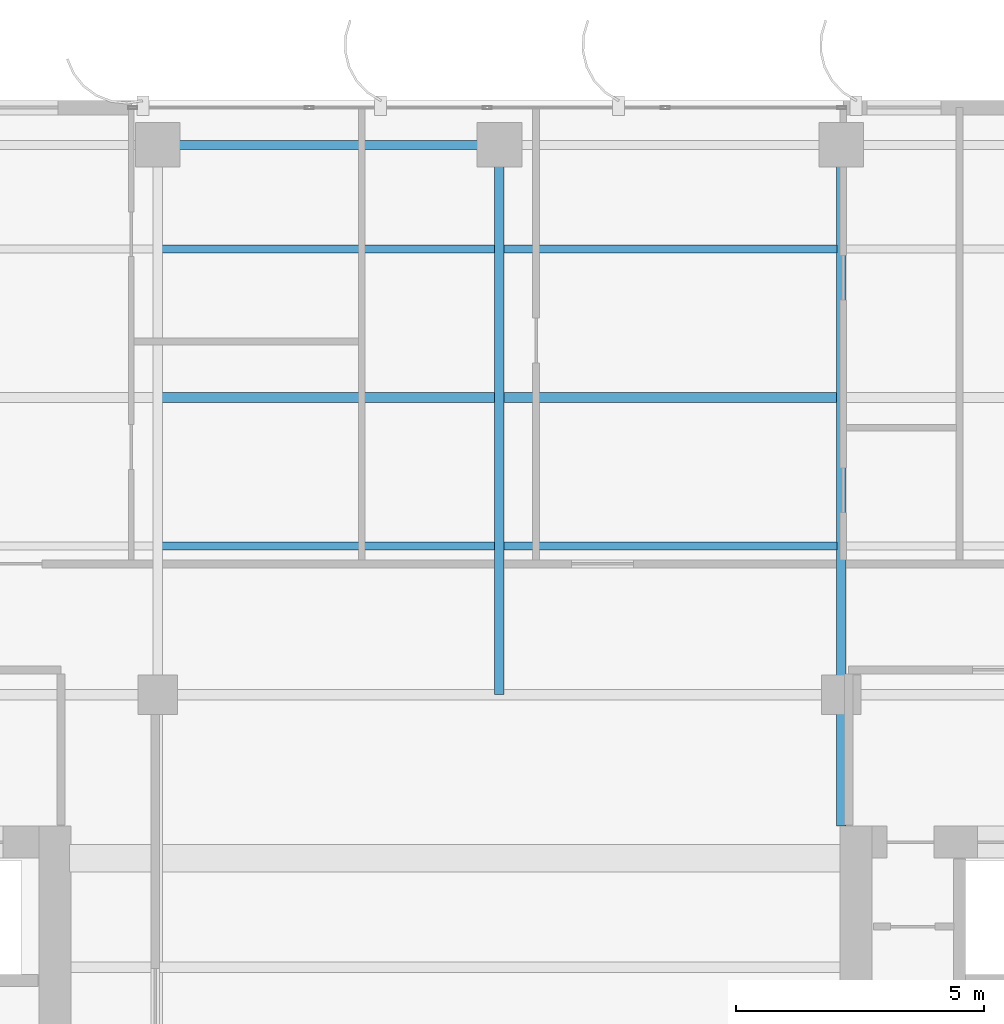
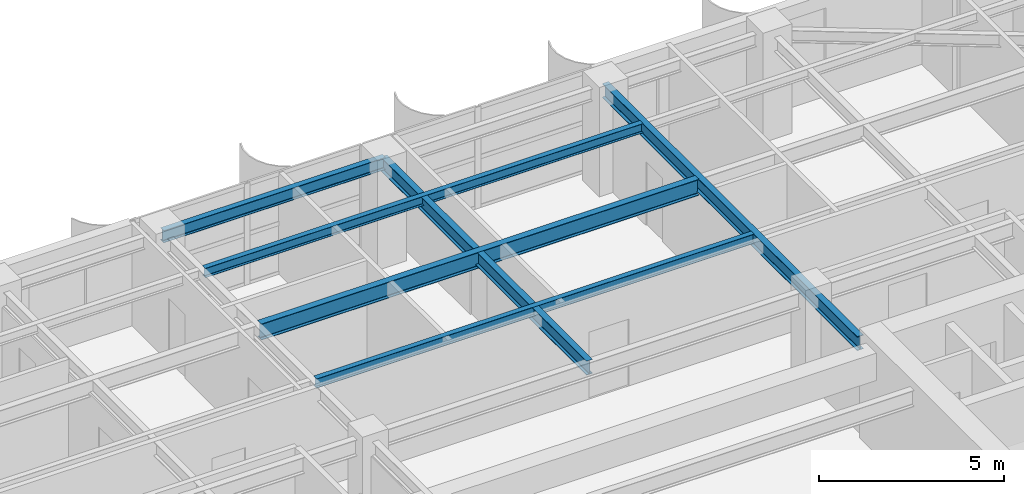
# One storey, part 15 of 25: 6 beams.
"""IFC4 building model written with IfcOpenShell, lengths in metres."""

from ifc_helpers import new_model, si_unit, direction, frame, origin, origin_2d, place, context, subcontext, project, spatial, i_section, extrude, source, transform, mapped, material, material_profile, profile_set, type_object, element, save


model = new_model("IFC4")

# Units and contexts
model_context = context("Model", 3, precision=1e-05, world=origin(), true_north=direction((0.0, 1.0)))
body_context = subcontext(model_context, "Body", "Model", "MODEL_VIEW")
ifc_project = project(units=[si_unit("LENGTHUNIT", "METRE"), si_unit("AREAUNIT", "SQUARE_METRE"), si_unit("VOLUMEUNIT", "CUBIC_METRE"), si_unit("PLANEANGLEUNIT", "RADIAN"), si_unit("MASSUNIT", "GRAM", prefix="KILO")], contexts=[model_context])

# Site, building, storey
site_placement = place(None, origin())
site = spatial("IfcSite", under=ifc_project, at=site_placement, CompositionType="ELEMENT")
building_placement = place(site_placement, origin())
building = spatial("IfcBuilding", under=site, at=building_placement, Name="Khoralis Quay Care Tower", CompositionType="ELEMENT")
storey_placement = place(building_placement, frame((0.0, 0.0, 166.5)))
storey = spatial("IfcBuildingStorey", under=building, at=storey_placement, Name="L43", CompositionType="ELEMENT", Elevation=166.5)

# Beams
ifc_material = material(Name="Steel S355", Category="steel")
ifc_material_profile_1 = material_profile(ifc_material, i_section(OverallWidth=0.179931640625, OverallDepth=0.39990234375, WebThickness=0.008544921875, FlangeThickness=0.013427734375, FilletRadius=0.02099609375, at=origin_2d()), Name="Steel S355")
ifc_profile_set_1 = profile_set([ifc_material_profile_1], Name="Steel S355")
beam_type_1 = type_object("IfcBeamType", Name="BM-IPE400", PredefinedType="SPANDREL", material=ifc_profile_set_1)
shared_shape_1 = source(origin(), body_context, "Body", "SweptSolid", [
    extrude(i_section(OverallWidth=0.179931640625, OverallDepth=0.39990234375, WebThickness=0.008544921875, FlangeThickness=0.013427734375, FilletRadius=0.02099609375, at=origin_2d()), origin(), (0.0, 0.0, 1.0), 6.89990234375),
])
beam_1_placement = place(storey_placement, frame((17.10009765625, 41.10009765625, 3.139892578125), z_axis=(1.0, 0.0, 0.0), x_axis=(0.0, 1.0, 0.0)))
element("IfcBeam", 1, at=beam_1_placement, inside=storey, type_object=beam_type_1, Name="BM-TSP-L43-06", PredefinedType="SPANDREL", context=body_context, shape_type="MappedRepresentation", body=[
    mapped(shared_shape_1, transform((0.0, 0.0, 0.0), scale=1.0)),
])
ifc_material_profile_2 = material_profile(ifc_material, i_section(OverallWidth=0.208984375, OverallDepth=0.532958984375, WebThickness=0.01025390625, FlangeThickness=0.015625, FilletRadius=0.01611328125, at=origin_2d()), Name="Steel S355")
ifc_profile_set_2 = profile_set([ifc_material_profile_2], Name="Steel S355")
beam_type_2 = type_object("IfcBeamType", Name="BM-W530X92", PredefinedType="BEAM", material=ifc_profile_set_2)
shared_shape_2 = source(origin(), body_context, "Body", "SweptSolid", [
    extrude(i_section(OverallWidth=0.208984375, OverallDepth=0.532958984375, WebThickness=0.01025390625, FlangeThickness=0.015625, FilletRadius=0.01611328125, at=origin_2d()), origin(), (0.0, 0.0, 1.0), 13.6318359375),
])
beam_2_placement = place(storey_placement, frame((17.18408203125, 36.0, 3.073486328125), z_axis=(1.0, 0.0, 0.0), x_axis=(0.0, 1.0, 0.0)))
element("IfcBeam", 2, at=beam_2_placement, inside=storey, type_object=beam_type_2, Name="BM-TGCC-L43-360", PredefinedType="BEAM", context=body_context, shape_type="MappedRepresentation", body=[
    mapped(shared_shape_2, transform((0.0, 0.0, 0.0), scale=1.0)),
])
ifc_material_profile_3 = material_profile(ifc_material, i_section(OverallWidth=0.19189453125, OverallDepth=0.462890625, WebThickness=0.010498046875, FlangeThickness=0.017578125, FilletRadius=0.014892578125, at=origin_2d()), Name="Steel S355")
ifc_profile_set_3 = profile_set([ifc_material_profile_3], Name="Steel S355")
beam_type_3 = type_object("IfcBeamType", Name="BM-W460X89", PredefinedType="BEAM", material=ifc_profile_set_3)
shared_shape_3 = source(origin(), body_context, "Body", "SweptSolid", [
    extrude(i_section(OverallWidth=0.19189453125, OverallDepth=0.462890625, WebThickness=0.010498046875, FlangeThickness=0.017578125, FilletRadius=0.014892578125, at=origin_2d()), origin(), (0.0, 0.0, 1.0), 11.10009765625),
])
beam_3_placement = place(storey_placement, frame((24.0, 30.0, 3.1083984375), z_axis=(0.0, 1.0, 0.0), x_axis=(-1.0, 0.0, 0.0)))
element("IfcBeam", 3, at=beam_3_placement, inside=storey, type_object=beam_type_3, Name="BM-TGYN-L43-240", PredefinedType="BEAM", context=body_context, shape_type="MappedRepresentation", body=[
    mapped(shared_shape_3, transform((0.0, 0.0, 0.0), scale=1.0)),
])
shared_shape_4 = source(origin(), body_context, "Body", "SweptSolid", [
    extrude(i_section(OverallWidth=0.19189453125, OverallDepth=0.462890625, WebThickness=0.010498046875, FlangeThickness=0.017578125, FilletRadius=0.014892578125, at=origin_2d()), origin(), (0.0, 0.0, 1.0), 13.752197265625),
])
beam_4_placement = place(storey_placement, frame((30.89990234375, 27.347900390625, 3.1083984375), z_axis=(0.0, 1.0, 0.0), x_axis=(-1.0, 0.0, 0.0)))
element("IfcBeam", 4, at=beam_4_placement, inside=storey, type_object=beam_type_3, Name="BM-TGYN-L43-309", PredefinedType="BEAM", context=body_context, shape_type="MappedRepresentation", body=[
    mapped(shared_shape_4, transform((0.0, 0.0, 0.0), scale=1.0)),
])
ifc_material_profile_4 = material_profile(ifc_material, i_section(OverallWidth=0.1650390625, OverallDepth=0.31005859375, WebThickness=0.005859375, FlangeThickness=0.009765625, FilletRadius=0.011962890625, at=origin_2d()), Name="Steel S355")
ifc_profile_set_4 = profile_set([ifc_material_profile_4], Name="Steel S355")
beam_type_4 = type_object("IfcBeamType", Name="BM-W310X39", PredefinedType="JOIST", material=ifc_profile_set_4)
shared_shape_5 = source(origin(), body_context, "Body", "SweptSolid", [
    extrude(i_section(OverallWidth=0.1650390625, OverallDepth=0.31005859375, WebThickness=0.005859375, FlangeThickness=0.009765625, FilletRadius=0.011962890625, at=origin_2d()), origin(), (0.0, 0.0, 1.0), 13.6318359375),
])
for number, where, z_axis, x_axis, name in (
    (5, (17.18408203125, 33.0, 3.18505859375), (1.0, 0.0, 0.0), (0.0, 1.0, 0.0), "BM-TJS-L43-28"),
    (6, (17.18408203125, 39.0, 3.18505859375), (1.0, 0.0, 0.0), (0.0, 1.0, 0.0), "BM-TJS-L43-31"),
):
    element("IfcBeam", number, at=place(storey_placement, frame(where, z_axis=z_axis, x_axis=x_axis)), inside=storey, type_object=beam_type_4, Name=name, PredefinedType="JOIST", context=body_context, shape_type="MappedRepresentation", body=[
        mapped(shared_shape_5, transform((0.0, 0.0, 0.0), scale=1.0)),
    ])

save(model, "model.ifc")
